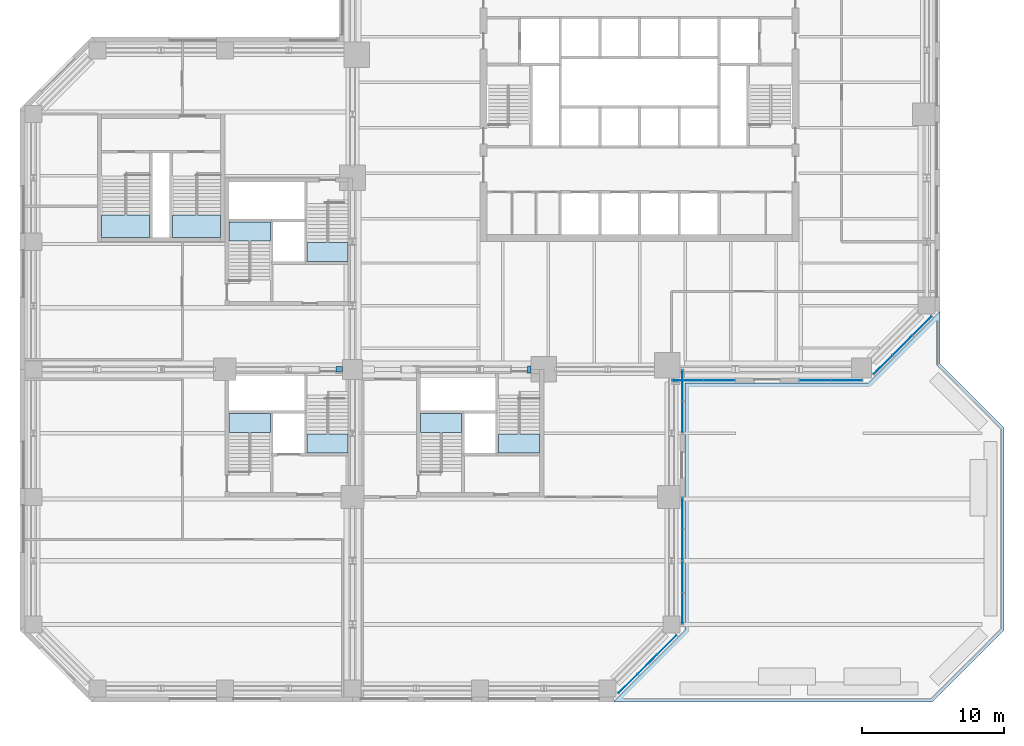
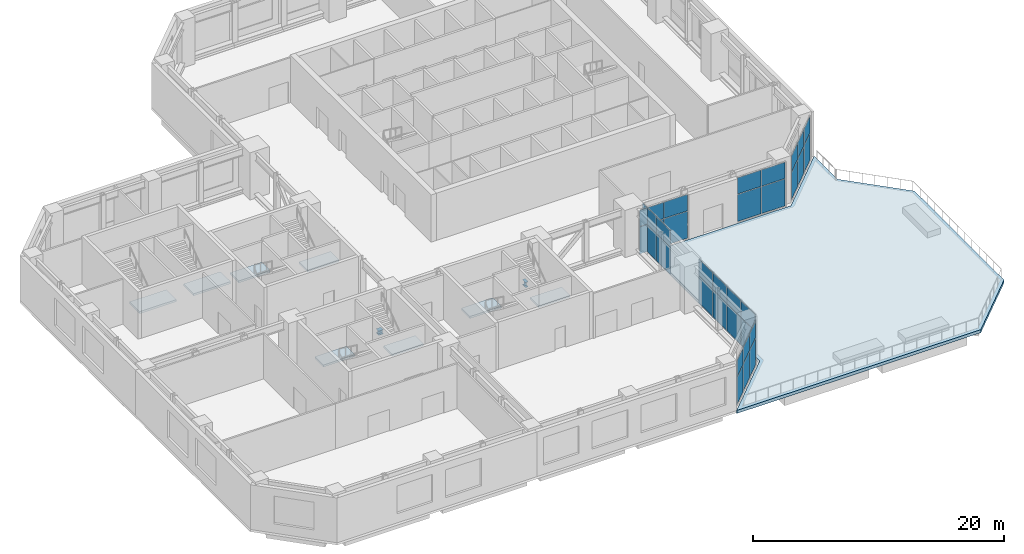
# One storey, part 11 of 21: 32 plates, 9 slabs, 2 members, 14 elements without a shape of their own.
"""IFC4 building model written with IfcOpenShell, lengths in metres."""

import ifcopenshell
import ifcopenshell.guid

model = None  # the IFC model being written
_history = None  # IfcOwnerHistory: only IFC2X3 demands one
_inside = {}  # id of a spatial element -> (the spatial element, [elements in it])
_under = {}  # id of a project, library or spatial element -> (it, [spatial elements below it])
_declared = {}  # id of a project -> (the project, [libraries it declares])
_typed = {}  # id of a type object -> (the type object, [elements of that type])
_made_of = {}  # id of a material, layer set ... -> (it, [elements and type objects made of it])


def new_model(schema):
    """Start an empty IFC model of exactly this schema.

    Asked for "IFC4X3", IfcOpenShell would pick the latest addendum, in which some entities
    have other attributes; the version numbers below select the first issue.
    IFC2X3 requires an IfcOwnerHistory on every rooted entity: one is made here for all.
    """
    global model, _history
    if schema == "IFC4X3":
        model = ifcopenshell.file(schema_version=(4, 3, 0, 0))
    else:
        model = ifcopenshell.file(schema=schema)
    _inside.clear()
    _under.clear()
    _declared.clear()
    _typed.clear()
    _made_of.clear()
    _history = None
    if model.schema == "IFC2X3":
        org = make("IfcOrganization", Name="unknown")
        user = make(
            "IfcPersonAndOrganization",
            ThePerson=make("IfcPerson", FamilyName="unknown"),
            TheOrganization=org,
        )
        app = make(
            "IfcApplication",
            ApplicationDeveloper=org,
            Version="unknown",
            ApplicationFullName="unknown",
            ApplicationIdentifier="unknown",
        )
        _history = make(
            "IfcOwnerHistory",
            OwningUser=user,
            OwningApplication=app,
            ChangeAction="ADDED",
            CreationDate=0,
        )
    return model


def make(cls, **values):
    """One entity of the class cls with the attributes given. An attribute that is None is left unset."""
    return model.create_entity(
        cls, **{name: value for name, value in values.items() if value is not None}
    )


def rooted(cls, **values):
    """An entity with a GlobalId (a new one), such as an element, a storey or a relation."""
    return make(cls, GlobalId=ifcopenshell.guid.new(), OwnerHistory=_history, **values)


def si_unit(unit_type, name, prefix=None):
    """IfcSIUnit, for example si_unit("LENGTHUNIT", "METRE", prefix="MILLI")."""
    return make("IfcSIUnit", UnitType=unit_type, Prefix=prefix, Name=name)


def assignment(units):
    """IfcUnitAssignment: the units of a project."""
    return None if units is None else make("IfcUnitAssignment", Units=units)


def point(xyz):
    """IfcCartesianPoint."""
    return None if xyz is None else make("IfcCartesianPoint", Coordinates=xyz)


def direction(xyz):
    """IfcDirection."""
    return None if xyz is None else make("IfcDirection", DirectionRatios=xyz)


def frame(location, z_axis=None, x_axis=None):
    """IfcAxis2Placement3D, a coordinate frame: its origin and axes. An axis left out is left unset."""
    return make(
        "IfcAxis2Placement3D",
        Location=point(location),
        Axis=direction(z_axis),
        RefDirection=direction(x_axis),
    )


def frame_2d(location, x_axis=None):
    """IfcAxis2Placement2D, a coordinate frame in the plane: its origin and x axis."""
    return make(
        "IfcAxis2Placement2D", Location=point(location), RefDirection=direction(x_axis)
    )


def origin():
    """The frame at (0, 0, 0) with its axes left unset."""
    return frame((0.0, 0.0, 0.0))


def origin_2d():
    """The frame at (0, 0) in the plane with its x axis left unset."""
    return frame_2d((0.0, 0.0))


def place(relative_to, where):
    """IfcLocalPlacement: puts the frame where relative to a parent placement (None: the world)."""
    return make(
        "IfcLocalPlacement", PlacementRelTo=relative_to, RelativePlacement=where
    )


def context(
    kind, dimensions, precision=None, world=None, true_north=None, identifier=None
):
    """IfcGeometricRepresentationContext, for example the 3D "Model" context."""
    return make(
        "IfcGeometricRepresentationContext",
        ContextIdentifier=identifier,
        ContextType=kind,
        CoordinateSpaceDimension=dimensions,
        Precision=precision,
        WorldCoordinateSystem=world,
        TrueNorth=true_north,
    )


def subcontext(parent, identifier, kind, view, scale=None):
    """IfcGeometricRepresentationSubContext, for example "Body" below "Model"."""
    return make(
        "IfcGeometricRepresentationSubContext",
        ContextIdentifier=identifier,
        ContextType=kind,
        ParentContext=parent,
        TargetScale=scale,
        TargetView=view,
    )


def project(units=None, contexts=None):
    """IfcProject with its units and contexts."""
    return rooted(
        "IfcProject",
        Name="project",
        RepresentationContexts=contexts,
        UnitsInContext=assignment(units),
    )


def spatial(cls, under=None, at=None, **own):
    """A site, building, storey or space (cls), placed at a placement, below another one or the project."""
    s = rooted(cls, ObjectPlacement=at, **own)
    if under is not None:
        _under.setdefault(under.id(), (under, []))[1].append(s)
    return s


def polyline(points):
    """IfcPolyline through the points."""
    return make("IfcPolyline", Points=[point(p) for p in points])


def profile(cls, at=None, kind="AREA", **sizes):
    """A parametric profile (cls). Its sizes go by their IFC names, for example OverallWidth=200.0."""
    return make(cls, ProfileType=kind, Position=at, **sizes)


def rectangle(**sizes):
    """IfcRectangleProfileDef."""
    return profile("IfcRectangleProfileDef", **sizes)


def i_section(**sizes):
    """IfcIShapeProfileDef."""
    return profile("IfcIShapeProfileDef", **sizes)


def outline(outer, holes=None, kind="AREA"):
    """IfcArbitraryClosedProfileDef: a profile drawn as a closed curve; with holes, ...WithVoids."""
    if holes is None:
        return make("IfcArbitraryClosedProfileDef", ProfileType=kind, OuterCurve=outer)
    return make(
        "IfcArbitraryProfileDefWithVoids",
        ProfileType=kind,
        OuterCurve=outer,
        InnerCurves=holes,
    )


def extrude(swept, where, along, depth):
    """IfcExtrudedAreaSolid: the profile swept, set in the frame where, extruded along a direction by depth."""
    return make(
        "IfcExtrudedAreaSolid",
        SweptArea=swept,
        Position=where,
        ExtrudedDirection=direction(along),
        Depth=depth,
    )


def shape(context_of_items, identifier, shape_type, items):
    """IfcShapeRepresentation: the items that make up one representation, for example the "Body"."""
    return make(
        "IfcShapeRepresentation",
        ContextOfItems=context_of_items,
        RepresentationIdentifier=identifier,
        RepresentationType=shape_type,
        Items=items,
    )


def material(Name=None, Category=None):
    """IfcMaterial."""
    return make("IfcMaterial", Name=Name, Category=Category)


def layer(
    of_material, thickness, ventilated=None, Name=None, Category=None, Priority=None
):
    """IfcMaterialLayer: one layer of a wall or slab, of a material (None: an air gap)."""
    return make(
        "IfcMaterialLayer",
        Material=of_material,
        LayerThickness=thickness,
        IsVentilated=ventilated,
        Name=Name,
        Category=Category,
        Priority=Priority,
    )


def layer_set(layers, Name=None):
    """IfcMaterialLayerSet."""
    return make("IfcMaterialLayerSet", MaterialLayers=layers, LayerSetName=Name)


def constituent(of_material, Name=None, Category=None, fraction=None):
    """IfcMaterialConstituent: one of the materials an element consists of."""
    return make(
        "IfcMaterialConstituent",
        Name=Name,
        Material=of_material,
        Fraction=fraction,
        Category=Category,
    )


def constituent_set(constituents=None, Name=None):
    """IfcMaterialConstituentSet."""
    return make(
        "IfcMaterialConstituentSet", Name=Name, MaterialConstituents=constituents
    )


def material_profile(
    of_material, cross_section, Name=None, Category=None, Priority=None
):
    """IfcMaterialProfile: a cross section and its material."""
    return make(
        "IfcMaterialProfile",
        Name=Name,
        Material=of_material,
        Profile=cross_section,
        Priority=Priority,
        Category=Category,
    )


def profile_set(profiles, Name=None, composite=None):
    """IfcMaterialProfileSet."""
    return make(
        "IfcMaterialProfileSet",
        Name=Name,
        MaterialProfiles=profiles,
        CompositeProfile=composite,
    )


def made_of(thing, what):
    """Note that an element or type object is made of a material, layer set ...; save() writes the relation."""
    if what is not None:
        _made_of.setdefault(what.id(), (what, []))[1].append(thing)
    return thing


def type_object(cls, material=None, **own):
    """A type object (cls), such as IfcWallType, which elements share."""
    return made_of(rooted(cls, **own), material)


def element(
    cls,
    number,
    at=None,
    inside=None,
    cuts=None,
    type_object=None,
    material=None,
    context=None,
    identifier="Body",
    shape_type=None,
    held_by="IfcProductDefinitionShape",
    body=None,
    shapes=None,
    **own,
):
    """One element of the class cls, such as IfcWall. Its Tag is "e" and its number.

    at: its placement. inside: the storey or other place that contains it. cuts: it is an
    opening in that element (IfcRelVoidsElement). A single representation is given by context,
    identifier, shape_type and body (its items); several are given by shapes. held_by: the class
    of the entity that holds the representations. save() writes the other relations.
    """
    e = rooted(cls, Tag="e%d" % number, ObjectPlacement=at, **own)
    if body is not None:
        shapes = [shape(context, identifier, shape_type, body)]
    if shapes is not None:
        e.Representation = make(held_by, Representations=shapes)
    if inside is not None:
        _inside.setdefault(inside.id(), (inside, []))[1].append(e)
    if cuts is not None:
        rooted(
            "IfcRelVoidsElement", RelatingBuildingElement=cuts, RelatedOpeningElement=e
        )
    if type_object is not None:
        _typed.setdefault(type_object.id(), (type_object, []))[1].append(e)
    return made_of(e, material)


def aggregate(whole, parts):
    """IfcRelAggregates: a whole, such as a stair, and the parts it consists of."""
    return rooted("IfcRelAggregates", RelatingObject=whole, RelatedObjects=parts)


def save(model, path):
    """Write the relations noted so far, then the file.

    IfcRelAggregates (storeys below a building ...), IfcRelContainedInSpatialStructure (elements
    in a storey), IfcRelDefinesByType, IfcRelAssociatesMaterial and IfcRelDeclares: one each for
    every whole, place, type object, material and project.
    """
    for whole, parts in _under.values():
        aggregate(whole, parts)
    for where, things in _inside.values():
        rooted(
            "IfcRelContainedInSpatialStructure",
            RelatedElements=things,
            RelatingStructure=where,
        )
    for kind, things in _typed.values():
        rooted("IfcRelDefinesByType", RelatedObjects=things, RelatingType=kind)
    for what, things in _made_of.values():
        rooted("IfcRelAssociatesMaterial", RelatedObjects=things, RelatingMaterial=what)
    for by, libraries in _declared.values():
        rooted("IfcRelDeclares", RelatingContext=by, RelatedDefinitions=libraries)
    model.write(path)


model = new_model("IFC4")

# Units and contexts
model_context = context("Model", 3, precision=1e-05, world=origin(), true_north=direction((0.0, 1.0)))
body_context = subcontext(model_context, "Body", "Model", "MODEL_VIEW")
ifc_project = project(units=[si_unit("LENGTHUNIT", "METRE"), si_unit("AREAUNIT", "SQUARE_METRE"), si_unit("VOLUMEUNIT", "CUBIC_METRE"), si_unit("PLANEANGLEUNIT", "RADIAN"), si_unit("MASSUNIT", "GRAM", prefix="KILO")], contexts=[model_context])

# Site, building, storey
site_placement = place(None, origin())
site = spatial("IfcSite", under=ifc_project, at=site_placement, CompositionType="ELEMENT")
building_placement = place(site_placement, origin())
building = spatial("IfcBuilding", under=site, at=building_placement, Name="Quoin Convention Tower", CompositionType="ELEMENT")
storey_placement = place(building_placement, frame((0.0, 0.0, 18.5)))
storey = spatial("IfcBuildingStorey", under=building, at=storey_placement, Name="L03", CompositionType="ELEMENT", Elevation=18.5)

# Members
ifc_material_1 = material(Name="Steel Grade 300", Category="steel")
ifc_material_profile_1 = material_profile(ifc_material_1, i_section(OverallWidth=0.39990234375, OverallDepth=0.422119140625, WebThickness=0.028076171875, FlangeThickness=0.035888671875, at=origin_2d()), Name="400WC303")
ifc_profile_set_1 = profile_set([ifc_material_profile_1], Name="Steel Grade 300")
member_type_1 = type_object("IfcMemberType", Name="400WC303", PredefinedType="CHORD", material=ifc_profile_set_1)
member_1_placement = place(storey_placement, frame((34.85009765625, 40.5, 0.257080078125), z_axis=(1.0, 0.0, 0.0), x_axis=(0.0, 1.0, 0.0)))
element("IfcMember", 1, at=member_1_placement, inside=storey, type_object=member_type_1, Name="Transfer truss L03 bottom chord 31500_40500-36000_40500", PredefinedType="CHORD", context=body_context, shape_type="SweptSolid", body=[
    extrude(i_section(OverallWidth=0.39990234375, OverallDepth=0.422119140625, WebThickness=0.028076171875, FlangeThickness=0.035888671875, at=origin_2d()), origin(), (0.0, 0.0, 1.0), 0.449951171875),
])
ifc_material_profile_2 = material_profile(ifc_material_1, i_section(OverallWidth=0.5, OverallDepth=0.513916015625, WebThickness=0.02490234375, FlangeThickness=0.031982421875, at=origin_2d()), Name="500WC340")
ifc_profile_set_2 = profile_set([ifc_material_profile_2], Name="Steel Grade 300")
member_type_2 = type_object("IfcMemberType", Name="500WC340", PredefinedType="CHORD", material=ifc_profile_set_2)
member_2_placement = place(storey_placement, frame((48.35009765625, 40.5, 0.257080078125), z_axis=(1.0, 0.0, 0.0), x_axis=(0.0, 1.0, 0.0)))
element("IfcMember", 2, at=member_2_placement, inside=storey, type_object=member_type_2, Name="Transfer truss L03 bottom chord 45000_40500-49500_40500", PredefinedType="CHORD", context=body_context, shape_type="SweptSolid", body=[
    extrude(i_section(OverallWidth=0.5, OverallDepth=0.513916015625, WebThickness=0.02490234375, FlangeThickness=0.031982421875, at=origin_2d()), origin(), (0.0, 0.0, 1.0), 0.25),
])

# Slab
ifc_material_2 = material(Name="Concrete C50", Category="concrete")
ifc_layer_1 = layer(ifc_material_2, 0.300048828125)
ifc_layer_set_1 = layer_set([ifc_layer_1], Name="Concrete C50")
slab_type_1 = type_object("IfcSlabType", Name="RC ROOF SLAB 300 C50", PredefinedType="ROOF", material=ifc_layer_set_1)
slab_1_placement = place(storey_placement, frame((0.0, 0.0, -0.300048828125)))
element("IfcSlab", 3, at=slab_1_placement, inside=storey, type_object=slab_type_1, Name="slb-L03-rf", PredefinedType="ROOF", context=body_context, shape_type="SweptSolid", body=[
    extrude(outline(polyline([(59.449951171875, 22.1064453125), (59.449951171875, 22.10693359375), (59.449951171875, 39.530029296875), (59.4501953125, 39.531982421875), (59.450439453125, 39.533935546875), (59.450927734375, 39.535888671875), (59.451416015625, 39.53759765625), (59.452392578125, 39.539306640625), (59.453369140625, 39.541015625), (59.45458984375, 39.542724609375), (59.455810546875, 39.544189453125), (59.457275390625, 39.54541015625), (59.458984375, 39.546630859375), (59.460693359375, 39.547607421875), (59.46240234375, 39.548583984375), (59.464111328125, 39.549072265625), (59.466064453125, 39.549560546875), (59.468017578125, 39.5498046875), (59.469970703125, 39.550048828125), (72.39306640625, 39.550048828125), (72.3935546875, 39.550048828125), (72.393798828125, 39.55029296875), (77.416015625, 44.572509765625), (77.417236328125, 44.57373046875), (77.4189453125, 44.57470703125), (77.420654296875, 44.575927734375), (77.42236328125, 44.57666015625), (77.42431640625, 44.577392578125), (77.426025390625, 44.577880859375), (77.427978515625, 44.578125), (77.429931640625, 44.578125), (77.431884765625, 44.578125), (77.433837890625, 44.577880859375), (77.435791015625, 44.577392578125), (77.437744140625, 44.57666015625), (77.439453125, 44.575927734375), (77.441162109375, 44.57470703125), (77.442626953125, 44.57373046875), (77.444091796875, 44.572509765625), (77.445556640625, 44.57080078125), (77.446533203125, 44.5693359375), (77.447509765625, 44.567626953125), (77.448486328125, 44.56591796875), (77.44921875, 44.56396484375), (77.44970703125, 44.56201171875), (77.449951171875, 44.560302734375), (77.449951171875, 44.55810546875), (77.449951171875, 40.89404296875), (77.449951171875, 40.8935546875), (77.4501953125, 40.893310546875), (81.944091796875, 36.3994140625), (81.945556640625, 36.39794921875), (81.946533203125, 36.396240234375), (81.947509765625, 36.39453125), (81.948486328125, 36.392822265625), (81.94921875, 36.39111328125), (81.94970703125, 36.38916015625), (81.949951171875, 36.38720703125), (81.949951171875, 36.38525390625), (81.949951171875, 22.11474609375), (81.949951171875, 22.11279296875), (81.94970703125, 22.11083984375), (81.94921875, 22.10888671875), (81.948486328125, 22.107177734375), (81.947509765625, 22.10546875), (81.946533203125, 22.103759765625), (81.945556640625, 22.10205078125), (81.944091796875, 22.1005859375), (76.8994140625, 17.055908203125), (76.89794921875, 17.054443359375), (76.896240234375, 17.053466796875), (76.89453125, 17.052490234375), (76.892822265625, 17.051513671875), (76.89111328125, 17.05078125), (76.88916015625, 17.05029296875), (76.88720703125, 17.050048828125), (76.88525390625, 17.050048828125), (54.44189453125, 17.050048828125), (54.439697265625, 17.050048828125), (54.43798828125, 17.05029296875), (54.43603515625, 17.05078125), (54.43408203125, 17.051513671875), (54.432373046875, 17.052490234375), (54.4306640625, 17.053466796875), (54.42919921875, 17.054443359375), (54.427490234375, 17.055908203125), (54.42626953125, 17.057373046875), (54.42529296875, 17.058837890625), (54.424072265625, 17.060546875), (54.42333984375, 17.062255859375), (54.422607421875, 17.064208984375), (54.422119140625, 17.066162109375), (54.421875, 17.068115234375), (54.421875, 17.070068359375), (54.421875, 17.072021484375), (54.422119140625, 17.073974609375), (54.422607421875, 17.07568359375), (54.42333984375, 17.07763671875), (54.424072265625, 17.079345703125), (54.42529296875, 17.0810546875), (54.42626953125, 17.082763671875), (54.427490234375, 17.083984375), (59.44970703125, 22.106201171875), (59.449951171875, 22.1064453125)])), origin(), (0.0, 0.0, 1.0), 0.300048828125),
])

# Curtain wall, plates
ifc_material_3 = material(Name="Aluminium", Category="aluminium")
ifc_constituent_1 = constituent(ifc_material_3, Name="Frame")
ifc_material_4 = material(Name="Insulated glass", Category="glass")
ifc_constituent_2 = constituent(ifc_material_4, Name="Glazing")
ifc_constituent_set = constituent_set(constituents=[ifc_constituent_1, ifc_constituent_2], Name="Aluminium")
curtain_wall_type = type_object("IfcCurtainWallType", Name="Sky lobby glazing system", PredefinedType="NOTDEFINED", material=ifc_constituent_set)
curtain_wall_1_placement = place(storey_placement, origin())
curtain_wall_1 = element("IfcCurtainWall", 4, at=curtain_wall_1_placement, inside=storey, type_object=curtain_wall_type, Name="cw-SKY-L03-54548_17452", PredefinedType="NOTDEFINED")
ifc_layer_2 = layer(ifc_material_4, 0.035888671875)
ifc_layer_set_2 = layer_set([ifc_layer_2], Name="Insulated glass")
plate_type = type_object("IfcPlateType", Name="Sky lobby glazing glazing unit 36", PredefinedType="CURTAIN_PANEL", material=ifc_layer_set_2)
plate_1_placement = place(storey_placement, frame((55.425537109375, 18.32958984375, 0.050048828125), z_axis=(0.0, 0.0, 1.0), x_axis=(0.707106781187, 0.707106781187, 0.0)))
plate_1 = element("IfcPlate", 5, at=plate_1_placement, type_object=plate_type, Name="CW3 panel 1.1", PredefinedType="CURTAIN_PANEL", context=body_context, shape_type="SweptSolid", body=[
    extrude(rectangle(XDim=1.879150390625, YDim=0.035888671875, at=origin_2d()), origin(), (0.0, 0.0, 1.0), 2.625),
])
plate_2_placement = place(storey_placement, frame((55.425537109375, 18.32958984375, 2.724853515625), z_axis=(0.0, 0.0, 1.0), x_axis=(0.707106781187, 0.707106781187, 0.0)))
plate_2 = element("IfcPlate", 6, at=plate_2_placement, type_object=plate_type, Name="CW3 panel 1.2", PredefinedType="CURTAIN_PANEL", context=body_context, shape_type="SweptSolid", body=[
    extrude(rectangle(XDim=1.879150390625, YDim=0.035888671875, at=origin_2d()), origin(), (0.0, 0.0, 1.0), 1.580078125),
])
plate_3_placement = place(storey_placement, frame((56.798583984375, 19.702392578125, 0.050048828125), z_axis=(0.0, 0.0, 1.0), x_axis=(0.707106781187, 0.707106781187, 0.0)))
plate_3 = element("IfcPlate", 7, at=plate_3_placement, type_object=plate_type, Name="CW3 panel 2.1", PredefinedType="CURTAIN_PANEL", context=body_context, shape_type="SweptSolid", body=[
    extrude(rectangle(XDim=1.904052734375, YDim=0.035888671875, at=origin_2d()), origin(), (0.0, 0.0, 1.0), 2.625),
])
plate_4_placement = place(storey_placement, frame((56.798583984375, 19.702392578125, 2.724853515625), z_axis=(0.0, 0.0, 1.0), x_axis=(0.707106781187, 0.707106781187, 0.0)))
plate_4 = element("IfcPlate", 8, at=plate_4_placement, type_object=plate_type, Name="CW3 panel 2.2", PredefinedType="CURTAIN_PANEL", context=body_context, shape_type="SweptSolid", body=[
    extrude(rectangle(XDim=1.904052734375, YDim=0.035888671875, at=origin_2d()), origin(), (0.0, 0.0, 1.0), 1.580078125),
])
plate_5_placement = place(storey_placement, frame((58.17138671875, 21.075439453125, 0.050048828125), z_axis=(0.0, 0.0, 1.0), x_axis=(0.707106781187, 0.707106781187, 0.0)))
plate_5 = element("IfcPlate", 9, at=plate_5_placement, type_object=plate_type, Name="CW3 panel 3.1", PredefinedType="CURTAIN_PANEL", context=body_context, shape_type="SweptSolid", body=[
    extrude(rectangle(XDim=1.879150390625, YDim=0.035888671875, at=origin_2d()), origin(), (0.0, 0.0, 1.0), 2.625),
])
plate_6_placement = place(storey_placement, frame((58.17138671875, 21.075439453125, 2.724853515625), z_axis=(0.0, 0.0, 1.0), x_axis=(0.707106781187, 0.707106781187, 0.0)))
plate_6 = element("IfcPlate", 10, at=plate_6_placement, type_object=plate_type, Name="CW3 panel 3.2", PredefinedType="CURTAIN_PANEL", context=body_context, shape_type="SweptSolid", body=[
    extrude(rectangle(XDim=1.879150390625, YDim=0.035888671875, at=origin_2d()), origin(), (0.0, 0.0, 1.0), 1.580078125),
])
aggregate(curtain_wall_1, [plate_1, plate_2, plate_3, plate_4, plate_5, plate_6])

curtain_wall_2_placement = place(storey_placement, origin())
curtain_wall_2 = element("IfcCurtainWall", 11, at=curtain_wall_2_placement, inside=storey, type_object=curtain_wall_type, Name="cw-SKY-L03-59275_22500", PredefinedType="NOTDEFINED")
plate_7_placement = place(storey_placement, frame((59.27490234375, 23.637451171875, 0.050048828125), z_axis=(0.0, 0.0, 1.0), x_axis=(0.0, 1.0, 0.0)))
plate_7 = element("IfcPlate", 12, at=plate_7_placement, type_object=plate_type, Name="CW3 panel 1.1", PredefinedType="CURTAIN_PANEL", context=body_context, shape_type="SweptSolid", body=[
    extrude(rectangle(XDim=2.175048828125, YDim=0.035888671875, at=origin_2d()), origin(), (0.0, 0.0, 1.0), 2.625),
])
plate_8_placement = place(storey_placement, frame((59.27490234375, 23.637451171875, 2.724853515625), z_axis=(0.0, 0.0, 1.0), x_axis=(0.0, 1.0, 0.0)))
plate_8 = element("IfcPlate", 13, at=plate_8_placement, type_object=plate_type, Name="CW3 panel 1.2", PredefinedType="CURTAIN_PANEL", context=body_context, shape_type="SweptSolid", body=[
    extrude(rectangle(XDim=2.175048828125, YDim=0.035888671875, at=origin_2d()), origin(), (0.0, 0.0, 1.0), 1.580078125),
])
plate_9_placement = place(storey_placement, frame((59.27490234375, 25.875, 0.050048828125), z_axis=(0.0, 0.0, 1.0), x_axis=(0.0, 1.0, 0.0)))
plate_9 = element("IfcPlate", 14, at=plate_9_placement, type_object=plate_type, Name="CW3 panel 2.1", PredefinedType="CURTAIN_PANEL", context=body_context, shape_type="SweptSolid", body=[
    extrude(rectangle(XDim=2.199951171875, YDim=0.035888671875, at=origin_2d()), origin(), (0.0, 0.0, 1.0), 2.625),
])
plate_10_placement = place(storey_placement, frame((59.27490234375, 25.875, 2.724853515625), z_axis=(0.0, 0.0, 1.0), x_axis=(0.0, 1.0, 0.0)))
plate_10 = element("IfcPlate", 15, at=plate_10_placement, type_object=plate_type, Name="CW3 panel 2.2", PredefinedType="CURTAIN_PANEL", context=body_context, shape_type="SweptSolid", body=[
    extrude(rectangle(XDim=2.199951171875, YDim=0.035888671875, at=origin_2d()), origin(), (0.0, 0.0, 1.0), 1.580078125),
])
plate_11_placement = place(storey_placement, frame((59.27490234375, 28.125, 0.050048828125), z_axis=(0.0, 0.0, 1.0), x_axis=(0.0, 1.0, 0.0)))
plate_11 = element("IfcPlate", 16, at=plate_11_placement, type_object=plate_type, Name="CW3 panel 3.1", PredefinedType="CURTAIN_PANEL", context=body_context, shape_type="SweptSolid", body=[
    extrude(rectangle(XDim=2.199951171875, YDim=0.035888671875, at=origin_2d()), origin(), (0.0, 0.0, 1.0), 2.625),
])
plate_12_placement = place(storey_placement, frame((59.27490234375, 28.125, 2.724853515625), z_axis=(0.0, 0.0, 1.0), x_axis=(0.0, 1.0, 0.0)))
plate_12 = element("IfcPlate", 17, at=plate_12_placement, type_object=plate_type, Name="CW3 panel 3.2", PredefinedType="CURTAIN_PANEL", context=body_context, shape_type="SweptSolid", body=[
    extrude(rectangle(XDim=2.199951171875, YDim=0.035888671875, at=origin_2d()), origin(), (0.0, 0.0, 1.0), 1.580078125),
])
plate_13_placement = place(storey_placement, frame((59.27490234375, 30.362548828125, 0.050048828125), z_axis=(0.0, 0.0, 1.0), x_axis=(0.0, 1.0, 0.0)))
plate_13 = element("IfcPlate", 18, at=plate_13_placement, type_object=plate_type, Name="CW3 panel 4.1", PredefinedType="CURTAIN_PANEL", context=body_context, shape_type="SweptSolid", body=[
    extrude(rectangle(XDim=2.175048828125, YDim=0.035888671875, at=origin_2d()), origin(), (0.0, 0.0, 1.0), 2.625),
])
plate_14_placement = place(storey_placement, frame((59.27490234375, 30.362548828125, 2.724853515625), z_axis=(0.0, 0.0, 1.0), x_axis=(0.0, 1.0, 0.0)))
plate_14 = element("IfcPlate", 19, at=plate_14_placement, type_object=plate_type, Name="CW3 panel 4.2", PredefinedType="CURTAIN_PANEL", context=body_context, shape_type="SweptSolid", body=[
    extrude(rectangle(XDim=2.175048828125, YDim=0.035888671875, at=origin_2d()), origin(), (0.0, 0.0, 1.0), 1.580078125),
])
aggregate(curtain_wall_2, [plate_7, plate_8, plate_9, plate_10, plate_11, plate_12, plate_13, plate_14])

curtain_wall_3_placement = place(storey_placement, origin())
curtain_wall_3 = element("IfcCurtainWall", 20, at=curtain_wall_3_placement, inside=storey, type_object=curtain_wall_type, Name="cw-SKY-L03-59275_36000", PredefinedType="NOTDEFINED")
plate_15_placement = place(storey_placement, frame((59.27490234375, 37.137451171875, 0.050048828125), z_axis=(0.0, 0.0, 1.0), x_axis=(0.0, 1.0, 0.0)))
plate_15 = element("IfcPlate", 21, at=plate_15_placement, type_object=plate_type, Name="CW3 panel 1.1", PredefinedType="CURTAIN_PANEL", context=body_context, shape_type="SweptSolid", body=[
    extrude(rectangle(XDim=2.175048828125, YDim=0.035888671875, at=origin_2d()), origin(), (0.0, 0.0, 1.0), 2.625),
])
plate_16_placement = place(storey_placement, frame((59.27490234375, 37.137451171875, 2.724853515625), z_axis=(0.0, 0.0, 1.0), x_axis=(0.0, 1.0, 0.0)))
plate_16 = element("IfcPlate", 22, at=plate_16_placement, type_object=plate_type, Name="CW3 panel 1.2", PredefinedType="CURTAIN_PANEL", context=body_context, shape_type="SweptSolid", body=[
    extrude(rectangle(XDim=2.175048828125, YDim=0.035888671875, at=origin_2d()), origin(), (0.0, 0.0, 1.0), 1.580078125),
])
plate_17_placement = place(storey_placement, frame((59.27490234375, 39.362548828125, 0.050048828125), z_axis=(0.0, 0.0, 1.0), x_axis=(0.0, 1.0, 0.0)))
plate_17 = element("IfcPlate", 23, at=plate_17_placement, type_object=plate_type, Name="CW3 panel 2.1", PredefinedType="CURTAIN_PANEL", context=body_context, shape_type="SweptSolid", body=[
    extrude(rectangle(XDim=2.175048828125, YDim=0.035888671875, at=origin_2d()), origin(), (0.0, 0.0, 1.0), 2.625),
])
plate_18_placement = place(storey_placement, frame((59.27490234375, 39.362548828125, 2.724853515625), z_axis=(0.0, 0.0, 1.0), x_axis=(0.0, 1.0, 0.0)))
plate_18 = element("IfcPlate", 24, at=plate_18_placement, type_object=plate_type, Name="CW3 panel 2.2", PredefinedType="CURTAIN_PANEL", context=body_context, shape_type="SweptSolid", body=[
    extrude(rectangle(XDim=2.175048828125, YDim=0.035888671875, at=origin_2d()), origin(), (0.0, 0.0, 1.0), 1.580078125),
])
aggregate(curtain_wall_3, [plate_15, plate_16, plate_17, plate_18])

curtain_wall_4_placement = place(storey_placement, origin())
curtain_wall_4 = element("IfcCurtainWall", 25, at=curtain_wall_4_placement, inside=storey, type_object=curtain_wall_type, Name="cw-SKY-L03-58500_39725", PredefinedType="NOTDEFINED")
plate_19_placement = place(storey_placement, frame((59.637451171875, 39.72509765625, 0.050048828125), z_axis=(0.0, 0.0, 1.0), x_axis=(1.0, 0.0, 0.0)))
plate_19 = element("IfcPlate", 26, at=plate_19_placement, type_object=plate_type, Name="CW3 panel 1.1", PredefinedType="CURTAIN_PANEL", context=body_context, shape_type="SweptSolid", body=[
    extrude(rectangle(XDim=2.175048828125, YDim=0.035888671875, at=origin_2d()), origin(), (0.0, 0.0, 1.0), 2.625),
])
plate_20_placement = place(storey_placement, frame((59.637451171875, 39.72509765625, 2.724853515625), z_axis=(0.0, 0.0, 1.0), x_axis=(1.0, 0.0, 0.0)))
plate_20 = element("IfcPlate", 27, at=plate_20_placement, type_object=plate_type, Name="CW3 panel 1.2", PredefinedType="CURTAIN_PANEL", context=body_context, shape_type="SweptSolid", body=[
    extrude(rectangle(XDim=2.175048828125, YDim=0.035888671875, at=origin_2d()), origin(), (0.0, 0.0, 1.0), 1.580078125),
])
plate_21_placement = place(storey_placement, frame((61.862548828125, 39.72509765625, 0.050048828125), z_axis=(0.0, 0.0, 1.0), x_axis=(1.0, 0.0, 0.0)))
plate_21 = element("IfcPlate", 28, at=plate_21_placement, type_object=plate_type, Name="CW3 panel 2.1", PredefinedType="CURTAIN_PANEL", context=body_context, shape_type="SweptSolid", body=[
    extrude(rectangle(XDim=2.175048828125, YDim=0.035888671875, at=origin_2d()), origin(), (0.0, 0.0, 1.0), 2.625),
])
plate_22_placement = place(storey_placement, frame((61.862548828125, 39.72509765625, 2.724853515625), z_axis=(0.0, 0.0, 1.0), x_axis=(1.0, 0.0, 0.0)))
plate_22 = element("IfcPlate", 29, at=plate_22_placement, type_object=plate_type, Name="CW3 panel 2.2", PredefinedType="CURTAIN_PANEL", context=body_context, shape_type="SweptSolid", body=[
    extrude(rectangle(XDim=2.175048828125, YDim=0.035888671875, at=origin_2d()), origin(), (0.0, 0.0, 1.0), 1.580078125),
])
aggregate(curtain_wall_4, [plate_19, plate_20, plate_21, plate_22])

curtain_wall_5_placement = place(storey_placement, origin())
curtain_wall_5 = element("IfcCurtainWall", 30, at=curtain_wall_5_placement, inside=storey, type_object=curtain_wall_type, Name="cw-SKY-L03-67500_39725", PredefinedType="NOTDEFINED")
plate_23_placement = place(storey_placement, frame((68.637451171875, 39.72509765625, 0.050048828125), z_axis=(0.0, 0.0, 1.0), x_axis=(1.0, 0.0, 0.0)))
plate_23 = element("IfcPlate", 31, at=plate_23_placement, type_object=plate_type, Name="CW3 panel 1.1", PredefinedType="CURTAIN_PANEL", context=body_context, shape_type="SweptSolid", body=[
    extrude(rectangle(XDim=2.175048828125, YDim=0.035888671875, at=origin_2d()), origin(), (0.0, 0.0, 1.0), 2.625),
])
plate_24_placement = place(storey_placement, frame((68.637451171875, 39.72509765625, 2.724853515625), z_axis=(0.0, 0.0, 1.0), x_axis=(1.0, 0.0, 0.0)))
plate_24 = element("IfcPlate", 32, at=plate_24_placement, type_object=plate_type, Name="CW3 panel 1.2", PredefinedType="CURTAIN_PANEL", context=body_context, shape_type="SweptSolid", body=[
    extrude(rectangle(XDim=2.175048828125, YDim=0.035888671875, at=origin_2d()), origin(), (0.0, 0.0, 1.0), 1.580078125),
])
plate_25_placement = place(storey_placement, frame((70.862548828125, 39.72509765625, 0.050048828125), z_axis=(0.0, 0.0, 1.0), x_axis=(1.0, 0.0, 0.0)))
plate_25 = element("IfcPlate", 33, at=plate_25_placement, type_object=plate_type, Name="CW3 panel 2.1", PredefinedType="CURTAIN_PANEL", context=body_context, shape_type="SweptSolid", body=[
    extrude(rectangle(XDim=2.175048828125, YDim=0.035888671875, at=origin_2d()), origin(), (0.0, 0.0, 1.0), 2.625),
])
plate_26_placement = place(storey_placement, frame((70.862548828125, 39.72509765625, 2.724853515625), z_axis=(0.0, 0.0, 1.0), x_axis=(1.0, 0.0, 0.0)))
plate_26 = element("IfcPlate", 34, at=plate_26_placement, type_object=plate_type, Name="CW3 panel 2.2", PredefinedType="CURTAIN_PANEL", context=body_context, shape_type="SweptSolid", body=[
    extrude(rectangle(XDim=2.175048828125, YDim=0.035888671875, at=origin_2d()), origin(), (0.0, 0.0, 1.0), 1.580078125),
])
aggregate(curtain_wall_5, [plate_23, plate_24, plate_25, plate_26])

curtain_wall_6_placement = place(storey_placement, origin())
curtain_wall_6 = element("IfcCurtainWall", 35, at=curtain_wall_6_placement, inside=storey, type_object=curtain_wall_type, Name="cw-SKY-L03-72548_39952", PredefinedType="NOTDEFINED")
plate_27_placement = place(storey_placement, frame((73.424560546875, 40.82861328125, 0.050048828125), z_axis=(0.0, 0.0, 1.0), x_axis=(0.707106781187, 0.707106781187, 0.0)))
plate_27 = element("IfcPlate", 36, at=plate_27_placement, type_object=plate_type, Name="CW3 panel 1.1", PredefinedType="CURTAIN_PANEL", context=body_context, shape_type="SweptSolid", body=[
    extrude(rectangle(XDim=1.879150390625, YDim=0.035888671875, at=origin_2d()), origin(), (0.0, 0.0, 1.0), 2.625),
])
plate_28_placement = place(storey_placement, frame((73.424560546875, 40.82861328125, 2.724853515625), z_axis=(0.0, 0.0, 1.0), x_axis=(0.707106781187, 0.707106781187, 0.0)))
plate_28 = element("IfcPlate", 37, at=plate_28_placement, type_object=plate_type, Name="CW3 panel 1.2", PredefinedType="CURTAIN_PANEL", context=body_context, shape_type="SweptSolid", body=[
    extrude(rectangle(XDim=1.879150390625, YDim=0.035888671875, at=origin_2d()), origin(), (0.0, 0.0, 1.0), 1.580078125),
])
plate_29_placement = place(storey_placement, frame((74.797607421875, 42.201416015625, 0.050048828125), z_axis=(0.0, 0.0, 1.0), x_axis=(0.707106781187, 0.707106781187, 0.0)))
plate_29 = element("IfcPlate", 38, at=plate_29_placement, type_object=plate_type, Name="CW3 panel 2.1", PredefinedType="CURTAIN_PANEL", context=body_context, shape_type="SweptSolid", body=[
    extrude(rectangle(XDim=1.904052734375, YDim=0.035888671875, at=origin_2d()), origin(), (0.0, 0.0, 1.0), 2.625),
])
plate_30_placement = place(storey_placement, frame((74.797607421875, 42.201416015625, 2.724853515625), z_axis=(0.0, 0.0, 1.0), x_axis=(0.707106781187, 0.707106781187, 0.0)))
plate_30 = element("IfcPlate", 39, at=plate_30_placement, type_object=plate_type, Name="CW3 panel 2.2", PredefinedType="CURTAIN_PANEL", context=body_context, shape_type="SweptSolid", body=[
    extrude(rectangle(XDim=1.904052734375, YDim=0.035888671875, at=origin_2d()), origin(), (0.0, 0.0, 1.0), 1.580078125),
])
plate_31_placement = place(storey_placement, frame((76.17041015625, 43.574462890625, 0.050048828125), z_axis=(0.0, 0.0, 1.0), x_axis=(0.707106781187, 0.707106781187, 0.0)))
plate_31 = element("IfcPlate", 40, at=plate_31_placement, type_object=plate_type, Name="CW3 panel 3.1", PredefinedType="CURTAIN_PANEL", context=body_context, shape_type="SweptSolid", body=[
    extrude(rectangle(XDim=1.879150390625, YDim=0.035888671875, at=origin_2d()), origin(), (0.0, 0.0, 1.0), 2.625),
])
plate_32_placement = place(storey_placement, frame((76.17041015625, 43.574462890625, 2.724853515625), z_axis=(0.0, 0.0, 1.0), x_axis=(0.707106781187, 0.707106781187, 0.0)))
plate_32 = element("IfcPlate", 41, at=plate_32_placement, type_object=plate_type, Name="CW3 panel 3.2", PredefinedType="CURTAIN_PANEL", context=body_context, shape_type="SweptSolid", body=[
    extrude(rectangle(XDim=1.879150390625, YDim=0.035888671875, at=origin_2d()), origin(), (0.0, 0.0, 1.0), 1.580078125),
])
aggregate(curtain_wall_6, [plate_27, plate_28, plate_29, plate_30, plate_31, plate_32])

# Stair, slab
ifc_material_5 = material(Name="Concrete C40", Category="concrete")
stair_type_1 = type_object("IfcStairType", Name="Exit stair two-flight 1350", PredefinedType="HALF_TURN_STAIR", material=ifc_material_5)
stair_1_placement = place(storey_placement, origin())
stair_1 = element("IfcStair", 42, at=stair_1_placement, inside=storey, type_object=stair_type_1, Name="SD3 L03", PredefinedType="HALF_TURN_STAIR")
ifc_layer_3 = layer(ifc_material_5, 0.199951171875)
ifc_layer_set_3 = layer_set([ifc_layer_3], Name="Concrete C40")
slab_type_2 = type_object("IfcSlabType", Name="Stair landing 200", PredefinedType="LANDING", material=ifc_layer_set_3)
slab_2_placement = place(storey_placement, frame((0.0, 0.0, 2.19189453125)))
slab_2 = element("IfcSlab", 43, at=slab_2_placement, type_object=slab_type_2, Name="ST3 landing 1", PredefinedType="LANDING", context=body_context, shape_type="SweptSolid", body=[
    extrude(outline(polyline([(27.300048828125, 49.550048828125), (30.199951171875, 49.550048828125), (30.199951171875, 50.89990234375), (27.300048828125, 50.89990234375), (27.300048828125, 49.550048828125)])), origin(), (0.0, 0.0, 1.0), 0.2001953125),
])
aggregate(stair_1, [slab_2])

stair_2_placement = place(storey_placement, origin())
stair_2 = element("IfcStair", 44, at=stair_2_placement, inside=storey, type_object=stair_type_1, Name="SD4 L03", PredefinedType="HALF_TURN_STAIR")
slab_3_placement = place(storey_placement, frame((0.0, 0.0, 2.19189453125)))
slab_3 = element("IfcSlab", 45, at=slab_3_placement, type_object=slab_type_2, Name="ST4 landing 1", PredefinedType="LANDING", context=body_context, shape_type="SweptSolid", body=[
    extrude(outline(polyline([(35.699951171875, 49.449951171875), (32.800048828125, 49.449951171875), (32.800048828125, 48.10009765625), (35.699951171875, 48.10009765625), (35.699951171875, 49.449951171875)])), origin(), (0.0, 0.0, 1.0), 0.2001953125),
])
aggregate(stair_2, [slab_3])

stair_3_placement = place(storey_placement, origin())
stair_3 = element("IfcStair", 46, at=stair_3_placement, inside=storey, type_object=stair_type_1, Name="SD5 L03", PredefinedType="HALF_TURN_STAIR")
slab_4_placement = place(storey_placement, frame((0.0, 0.0, 2.19189453125)))
slab_4 = element("IfcSlab", 47, at=slab_4_placement, type_object=slab_type_2, Name="ST5 landing 1", PredefinedType="LANDING", context=body_context, shape_type="SweptSolid", body=[
    extrude(outline(polyline([(40.800048828125, 36.050048828125), (43.699951171875, 36.050048828125), (43.699951171875, 37.39990234375), (40.800048828125, 37.39990234375), (40.800048828125, 36.050048828125)])), origin(), (0.0, 0.0, 1.0), 0.2001953125),
])
aggregate(stair_3, [slab_4])

stair_4_placement = place(storey_placement, origin())
stair_4 = element("IfcStair", 48, at=stair_4_placement, inside=storey, type_object=stair_type_1, Name="SD6 L03", PredefinedType="HALF_TURN_STAIR")
slab_5_placement = place(storey_placement, frame((0.0, 0.0, 2.19189453125)))
slab_5 = element("IfcSlab", 49, at=slab_5_placement, type_object=slab_type_2, Name="ST6 landing 1", PredefinedType="LANDING", context=body_context, shape_type="SweptSolid", body=[
    extrude(outline(polyline([(49.199951171875, 35.949951171875), (46.300048828125, 35.949951171875), (46.300048828125, 34.60009765625), (49.199951171875, 34.60009765625), (49.199951171875, 35.949951171875)])), origin(), (0.0, 0.0, 1.0), 0.2001953125),
])
aggregate(stair_4, [slab_5])

stair_5_placement = place(storey_placement, origin())
stair_5 = element("IfcStair", 50, at=stair_5_placement, inside=storey, type_object=stair_type_1, Name="SD7 L03", PredefinedType="HALF_TURN_STAIR")
slab_6_placement = place(storey_placement, frame((0.0, 0.0, 2.19189453125)))
slab_6 = element("IfcSlab", 51, at=slab_6_placement, type_object=slab_type_2, Name="ST7 landing 1", PredefinedType="LANDING", context=body_context, shape_type="SweptSolid", body=[
    extrude(outline(polyline([(27.300048828125, 36.050048828125), (30.199951171875, 36.050048828125), (30.199951171875, 37.39990234375), (27.300048828125, 37.39990234375), (27.300048828125, 36.050048828125)])), origin(), (0.0, 0.0, 1.0), 0.2001953125),
])
aggregate(stair_5, [slab_6])

stair_6_placement = place(storey_placement, origin())
stair_6 = element("IfcStair", 52, at=stair_6_placement, inside=storey, type_object=stair_type_1, Name="SD8 L03", PredefinedType="HALF_TURN_STAIR")
slab_7_placement = place(storey_placement, frame((0.0, 0.0, 2.19189453125)))
slab_7 = element("IfcSlab", 53, at=slab_7_placement, type_object=slab_type_2, Name="ST8 landing 1", PredefinedType="LANDING", context=body_context, shape_type="SweptSolid", body=[
    extrude(outline(polyline([(35.699951171875, 35.949951171875), (32.800048828125, 35.949951171875), (32.800048828125, 34.60009765625), (35.699951171875, 34.60009765625), (35.699951171875, 35.949951171875)])), origin(), (0.0, 0.0, 1.0), 0.2001953125),
])
aggregate(stair_6, [slab_7])

stair_type_2 = type_object("IfcStairType", Name="Exit stair two-flight 1600", PredefinedType="HALF_TURN_STAIR", material=ifc_material_5)
stair_7_placement = place(storey_placement, origin())
stair_7 = element("IfcStair", 54, at=stair_7_placement, inside=storey, type_object=stair_type_2, Name="SD11 L03", PredefinedType="HALF_TURN_STAIR")
slab_8_placement = place(storey_placement, frame((0.0, 0.0, 2.19189453125)))
slab_8 = element("IfcSlab", 55, at=slab_8_placement, type_object=slab_type_2, Name="ST11 landing 1", PredefinedType="LANDING", context=body_context, shape_type="SweptSolid", body=[
    extrude(outline(polyline([(21.699951171875, 51.39990234375), (18.300048828125, 51.39990234375), (18.300048828125, 49.800048828125), (21.699951171875, 49.800048828125), (21.699951171875, 51.39990234375)])), origin(), (0.0, 0.0, 1.0), 0.2001953125),
])
aggregate(stair_7, [slab_8])

stair_8_placement = place(storey_placement, origin())
stair_8 = element("IfcStair", 56, at=stair_8_placement, inside=storey, type_object=stair_type_2, Name="SD12 L03", PredefinedType="HALF_TURN_STAIR")
slab_9_placement = place(storey_placement, frame((0.0, 0.0, 2.19189453125)))
slab_9 = element("IfcSlab", 57, at=slab_9_placement, type_object=slab_type_2, Name="ST12 landing 1", PredefinedType="LANDING", context=body_context, shape_type="SweptSolid", body=[
    extrude(outline(polyline([(26.699951171875, 51.39990234375), (23.300048828125, 51.39990234375), (23.300048828125, 49.800048828125), (26.699951171875, 49.800048828125), (26.699951171875, 51.39990234375)])), origin(), (0.0, 0.0, 1.0), 0.2001953125),
])
aggregate(stair_8, [slab_9])

save(model, "model.ifc")
